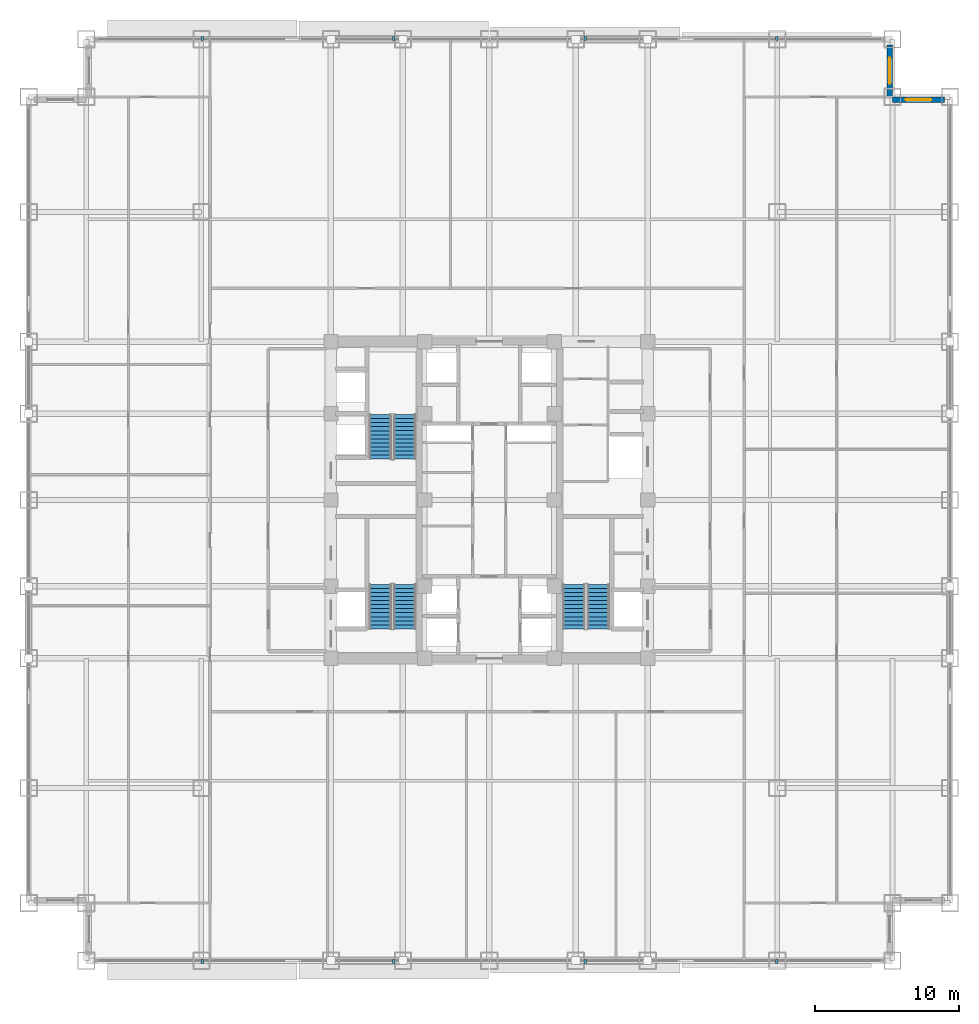
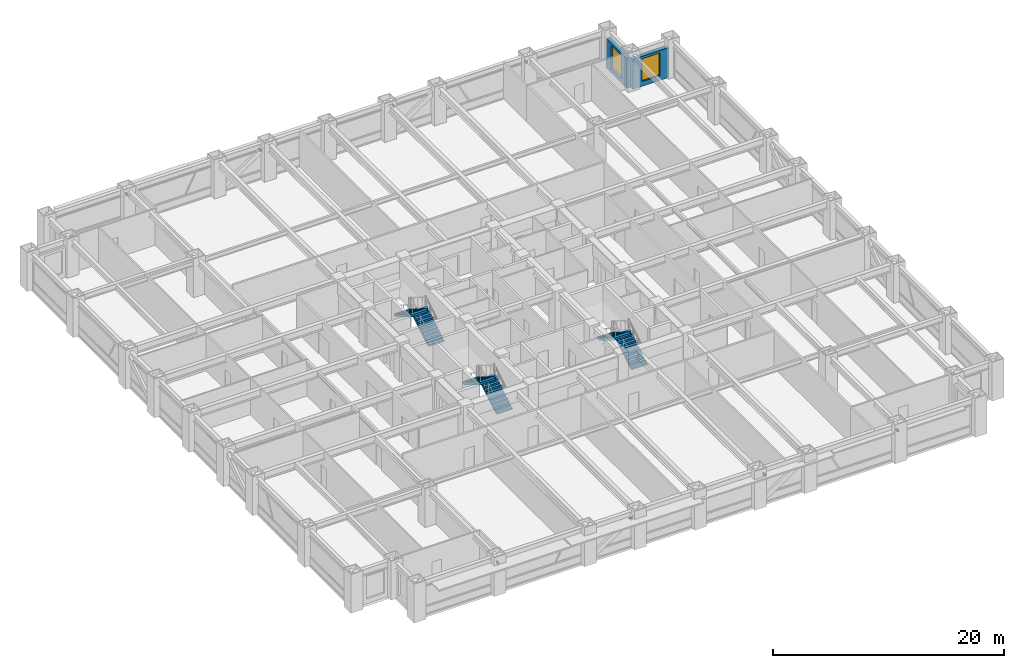
# One storey, part 27 of 32: 8 discrete accessories, 6 stair flights, 2 walls, 2 windows, 2 openings, 3 elements without a shape of their own.
"""IFC4 building model written with IfcOpenShell, lengths in metres."""

from ifc_helpers import new_model, si_unit, direction, frame, frame_2d, origin, origin_2d, place, context, subcontext, project, spatial, polyline, rectangle, outline, extrude, source, transform, mapped, material, layer, layer_set, type_object, element, fill, aggregate, save


model = new_model("IFC4")

# Units and contexts
model_context = context("Model", 3, precision=1e-05, world=origin(), true_north=direction((0.0, 1.0)))
body_context = subcontext(model_context, "Body", "Model", "MODEL_VIEW")
ifc_project = project(units=[si_unit("LENGTHUNIT", "METRE"), si_unit("AREAUNIT", "SQUARE_METRE"), si_unit("VOLUMEUNIT", "CUBIC_METRE"), si_unit("PLANEANGLEUNIT", "RADIAN"), si_unit("MASSUNIT", "GRAM", prefix="KILO")], contexts=[model_context])

# Site, building, storey
site_placement = place(None, origin())
site = spatial("IfcSite", under=ifc_project, at=site_placement, CompositionType="ELEMENT")
building_placement = place(site_placement, origin())
building = spatial("IfcBuilding", under=site, at=building_placement, Name="Khorayat Bourse Tower", CompositionType="ELEMENT")
storey_placement = place(building_placement, frame((0.0, 0.0, 136.5)))
storey = spatial("IfcBuildingStorey", under=building, at=storey_placement, Name="L31", CompositionType="ELEMENT", Elevation=136.5)

# Wall, opening, window
ifc_material_1 = material(Name="Precast concrete C45/55", Category="concrete")
ifc_layer = layer(ifc_material_1, 0.3798828125)
ifc_layer_set = layer_set([ifc_layer], Name="Precast concrete C45/55")
wall_type = type_object("IfcWallType", Name="WAL-EXT-STONE-380", PredefinedType="STANDARD", material=ifc_layer_set)
shared_shape_1 = source(origin(), body_context, "Body", "SweptSolid", [
    extrude(rectangle(XDim=3.6201171875, YDim=0.3798828125, at=frame_2d((1.81005859375, 0.0))), origin(), (0.0, 0.0, 1.0), 3.14501953125),
])
wall_1_placement = place(storey_placement, frame((28.0, 27.81005859375, 0.0), z_axis=(0.0, 0.0, 1.0), x_axis=(1.0, 0.0, 0.0)))
wall_1 = element("IfcWall", 1, at=wall_1_placement, inside=storey, type_object=wall_type, Name="L31 Re-Entrant Notch Limestone Wall NE-H", PredefinedType="STANDARD", context=body_context, shape_type="MappedRepresentation", body=[
    mapped(shared_shape_1, transform((0.0, 0.0, 0.0), scale=1.0)),
])
shared_shape_2 = source(origin(), body_context, "Body", "SweptSolid", [
    extrude(rectangle(XDim=1.800048828125, YDim=2.39990234375, at=frame_2d((0.89990234375, 1.199951171875))), frame((0.0, 0.199951171875, 0.0), z_axis=(0.0, -1.0, 0.0), x_axis=(1.0, 0.0, 0.0)), (0.0, 0.0, 1.0), 0.39990234375),
])
opening_1_placement = place(wall_1_placement, frame((0.909912109375, 0.0, 0.5)))
opening_1 = element("IfcOpeningElement", 2, at=opening_1_placement, cuts=wall_1, Name="Opening WN-04", PredefinedType="OPENING", context=body_context, shape_type="MappedRepresentation", body=[
    mapped(shared_shape_2, transform((0.0, 0.0, 0.0), scale=1.0)),
])
ifc_material_2 = material(Name="Low-E acoustic laminated double glazing", Category="glass")
window_type = type_object("IfcWindowType", Name="WIN-NOTCH-1800x2400", PartitioningType="SINGLE_PANEL", PredefinedType="WINDOW", material=ifc_material_2)
shared_shape_3 = source(origin(), body_context, "Body", "SweptSolid", [
    extrude(rectangle(XDim=1.800048828125, YDim=2.39990234375, at=frame_2d((0.89990234375, 1.199951171875))), frame((0.0, 0.030029296875, 0.0), z_axis=(0.0, -1.0, 0.0), x_axis=(1.0, 0.0, 0.0)), (0.0, 0.0, 1.0), 0.06005859375),
])
window_1_placement = place(opening_1_placement, origin())
window_1 = element("IfcWindow", 3, at=window_1_placement, inside=storey, type_object=window_type, Name="L31 Facade Window 1", OverallHeight=2.39990234375, OverallWidth=1.800048828125, PartitioningType="SINGLE_PANEL", PredefinedType="WINDOW", context=body_context, shape_type="MappedRepresentation", body=[
    mapped(shared_shape_3, transform((0.0, 0.0, 0.0), scale=1.0)),
])
fill(opening_1, window_1)

wall_2_placement = place(storey_placement, frame((27.81005859375, 28.0, 0.0), z_axis=(0.0, 0.0, 1.0), x_axis=(0.0, 1.0, 0.0)))
wall_2 = element("IfcWall", 4, at=wall_2_placement, inside=storey, type_object=wall_type, Name="L31 Re-Entrant Notch Limestone Wall NE-V", PredefinedType="STANDARD", context=body_context, shape_type="MappedRepresentation", body=[
    mapped(shared_shape_1, transform((0.0, 0.0, 0.0), scale=1.0)),
])
opening_2_placement = place(wall_2_placement, frame((0.909912109375, 0.0, 0.5)))
opening_2 = element("IfcOpeningElement", 5, at=opening_2_placement, cuts=wall_2, Name="Opening WN-04", PredefinedType="OPENING", context=body_context, shape_type="MappedRepresentation", body=[
    mapped(shared_shape_2, transform((0.0, 0.0, 0.0), scale=1.0)),
])
window_2_placement = place(opening_2_placement, origin())
window_2 = element("IfcWindow", 6, at=window_2_placement, inside=storey, type_object=window_type, Name="L31 Facade Window 1", OverallHeight=2.39990234375, OverallWidth=1.800048828125, PartitioningType="SINGLE_PANEL", PredefinedType="WINDOW", context=body_context, shape_type="MappedRepresentation", body=[
    mapped(shared_shape_3, transform((0.0, 0.0, 0.0), scale=1.0)),
])
fill(opening_2, window_2)

# Stair, stair flights
ifc_material_3 = material(Name="Concrete C40/50", Category="concrete")
stair_type = type_object("IfcStairType", Name="STR-CORE-1550", PredefinedType="HALF_TURN_STAIR", material=ifc_material_3)
stair_1_placement = place(storey_placement, origin())
stair_1 = element("IfcStair", 7, at=stair_1_placement, inside=storey, type_object=stair_type, Name="L31 Exit Stair ST-1", PredefinedType="HALF_TURN_STAIR")
stair_flight_type = type_object("IfcStairFlightType", Name="FLT-CORE-1550", PredefinedType="STRAIGHT", material=ifc_material_3)
shared_shape_4 = source(origin(), body_context, "Body", "SweptSolid", [
    extrude(outline(polyline([(0.0, 0.0), (0.0, 0.1708984375), (0.280029296875, 0.1708984375), (0.280029296875, 0.341552734375), (0.56005859375, 0.341552734375), (0.56005859375, 0.512451171875), (0.840087890625, 0.512451171875), (0.840087890625, 0.683349609375), (1.1201171875, 0.683349609375), (1.1201171875, 0.854248046875), (1.39990234375, 0.854248046875), (1.39990234375, 1.02490234375), (1.679931640625, 1.02490234375), (1.679931640625, 1.19580078125), (1.9599609375, 1.19580078125), (1.9599609375, 1.36669921875), (2.239990234375, 1.36669921875), (2.239990234375, 1.53759765625), (2.52001953125, 1.53759765625), (2.52001953125, 1.708251953125), (2.800048828125, 1.708251953125), (2.800048828125, 1.879150390625), (3.080078125, 1.879150390625), (3.080078125, 2.050048828125), (3.080078125, 1.66845703125), (0.345458984375, 0.0), (0.0, 0.0)])), frame((0.0, 0.77490234375, 0.0), z_axis=(0.0, -1.0, 0.0), x_axis=(1.0, 0.0, 0.0)), (0.0, 0.0, 1.0), 1.550048828125),
])
stair_flight_1_placement = place(storey_placement, frame((-5.875, -8.949951171875, 0.0), z_axis=(0.0, 0.0, 1.0), x_axis=(0.0, 1.0, 0.0)))
stair_flight_1 = element("IfcStairFlight", 8, at=stair_flight_1_placement, type_object=stair_flight_type, Name="ST-1 flight 1", NumberOfRisers=12, NumberOfTreads=11, PredefinedType="STRAIGHT", RiserHeight=0.170833333, TreadLength=0.28, context=body_context, shape_type="MappedRepresentation", body=[
    mapped(shared_shape_4, transform((0.0, 0.0, 0.0), scale=1.0)),
])
stair_flight_2_placement = place(storey_placement, frame((-7.574951171875, -5.8701171875, 2.050048828125), z_axis=(0.0, 0.0, 1.0), x_axis=(0.0, -1.0, 0.0)))
stair_flight_2 = element("IfcStairFlight", 9, at=stair_flight_2_placement, type_object=stair_flight_type, Name="ST-1 flight 2", NumberOfRisers=12, NumberOfTreads=11, PredefinedType="STRAIGHT", RiserHeight=0.170833333, TreadLength=0.28, context=body_context, shape_type="MappedRepresentation", body=[
    mapped(shared_shape_4, transform((0.0, 0.0, 0.0), scale=1.0)),
])
aggregate(stair_1, [stair_flight_1, stair_flight_2])

stair_2_placement = place(storey_placement, origin())
stair_2 = element("IfcStair", 10, at=stair_2_placement, inside=storey, type_object=stair_type, Name="L31 Exit Stair ST-2", PredefinedType="HALF_TURN_STAIR")
stair_flight_3_placement = place(storey_placement, frame((-5.875, 2.85009765625, 0.0), z_axis=(0.0, 0.0, 1.0), x_axis=(0.0, 1.0, 0.0)))
stair_flight_3 = element("IfcStairFlight", 11, at=stair_flight_3_placement, type_object=stair_flight_type, Name="ST-2 flight 1", NumberOfRisers=12, NumberOfTreads=11, PredefinedType="STRAIGHT", RiserHeight=0.170833333, TreadLength=0.28, context=body_context, shape_type="MappedRepresentation", body=[
    mapped(shared_shape_4, transform((0.0, 0.0, 0.0), scale=1.0)),
])
stair_flight_4_placement = place(storey_placement, frame((-7.574951171875, 5.929931640625, 2.050048828125), z_axis=(0.0, 0.0, 1.0), x_axis=(0.0, -1.0, 0.0)))
stair_flight_4 = element("IfcStairFlight", 12, at=stair_flight_4_placement, type_object=stair_flight_type, Name="ST-2 flight 2", NumberOfRisers=12, NumberOfTreads=11, PredefinedType="STRAIGHT", RiserHeight=0.170833333, TreadLength=0.28, context=body_context, shape_type="MappedRepresentation", body=[
    mapped(shared_shape_4, transform((0.0, 0.0, 0.0), scale=1.0)),
])
aggregate(stair_2, [stair_flight_3, stair_flight_4])

stair_3_placement = place(storey_placement, origin())
stair_3 = element("IfcStair", 13, at=stair_3_placement, inside=storey, type_object=stair_type, Name="L31 Exit Stair ST-3", PredefinedType="HALF_TURN_STAIR")
stair_flight_5_placement = place(storey_placement, frame((7.574951171875, -8.949951171875, 0.0), z_axis=(0.0, 0.0, 1.0), x_axis=(0.0, 1.0, 0.0)))
stair_flight_5 = element("IfcStairFlight", 14, at=stair_flight_5_placement, type_object=stair_flight_type, Name="ST-3 flight 1", NumberOfRisers=12, NumberOfTreads=11, PredefinedType="STRAIGHT", RiserHeight=0.170833333, TreadLength=0.28, context=body_context, shape_type="MappedRepresentation", body=[
    mapped(shared_shape_4, transform((0.0, 0.0, 0.0), scale=1.0)),
])
stair_flight_6_placement = place(storey_placement, frame((5.875, -5.8701171875, 2.050048828125), z_axis=(0.0, 0.0, 1.0), x_axis=(0.0, -1.0, 0.0)))
stair_flight_6 = element("IfcStairFlight", 15, at=stair_flight_6_placement, type_object=stair_flight_type, Name="ST-3 flight 2", NumberOfRisers=12, NumberOfTreads=11, PredefinedType="STRAIGHT", RiserHeight=0.170833333, TreadLength=0.28, context=body_context, shape_type="MappedRepresentation", body=[
    mapped(shared_shape_4, transform((0.0, 0.0, 0.0), scale=1.0)),
])
aggregate(stair_3, [stair_flight_5, stair_flight_6])

# Discrete accessories
ifc_material_4 = material(Name="Steel EN 10025-2 S355J2", Category="steel")
discrete_accessory_type = type_object("IfcDiscreteAccessoryType", Name="ACC-SHADE-BRACKET", PredefinedType="BRACKET", material=ifc_material_4)
shared_shape_5 = source(origin(), body_context, "Body", "SweptSolid", [
    extrude(rectangle(XDim=0.179931640625, YDim=0.300048828125, at=origin_2d()), origin(), (0.0, 0.0, 1.0), 0.239990234375),
])
for number, where, z_axis, x_axis, name in (
    (16, (-19.949951171875, -32.06005859375, 2.93994140625), (0.0, 0.0, 1.0), (1.0, 0.0, 0.0), "L31 Sunshade Support Bracket S-1"),
    (17, (-6.64990234375, -32.06005859375, 2.93994140625), (0.0, 0.0, 1.0), (1.0, 0.0, 0.0), "L31 Sunshade Support Bracket S-2"),
    (18, (6.64990234375, -32.06005859375, 2.93994140625), (0.0, 0.0, 1.0), (1.0, 0.0, 0.0), "L31 Sunshade Support Bracket S-3"),
    (19, (19.949951171875, -32.06005859375, 2.93994140625), (0.0, 0.0, 1.0), (1.0, 0.0, 0.0), "L31 Sunshade Support Bracket S-4"),
    (20, (-19.949951171875, 32.06005859375, 2.93994140625), (0.0, 0.0, 1.0), (1.0, 0.0, 0.0), "L31 Sunshade Support Bracket N-1"),
    (21, (-6.64990234375, 32.06005859375, 2.93994140625), (0.0, 0.0, 1.0), (1.0, 0.0, 0.0), "L31 Sunshade Support Bracket N-2"),
    (22, (6.64990234375, 32.06005859375, 2.93994140625), (0.0, 0.0, 1.0), (1.0, 0.0, 0.0), "L31 Sunshade Support Bracket N-3"),
    (23, (19.949951171875, 32.06005859375, 2.93994140625), (0.0, 0.0, 1.0), (1.0, 0.0, 0.0), "L31 Sunshade Support Bracket N-4"),
):
    element("IfcDiscreteAccessory", number, at=place(storey_placement, frame(where, z_axis=z_axis, x_axis=x_axis)), inside=storey, type_object=discrete_accessory_type, Name=name, PredefinedType="BRACKET", context=body_context, shape_type="MappedRepresentation", body=[
        mapped(shared_shape_5, transform((0.0, 0.0, 0.0), scale=1.0)),
    ])

save(model, "model.ifc")
